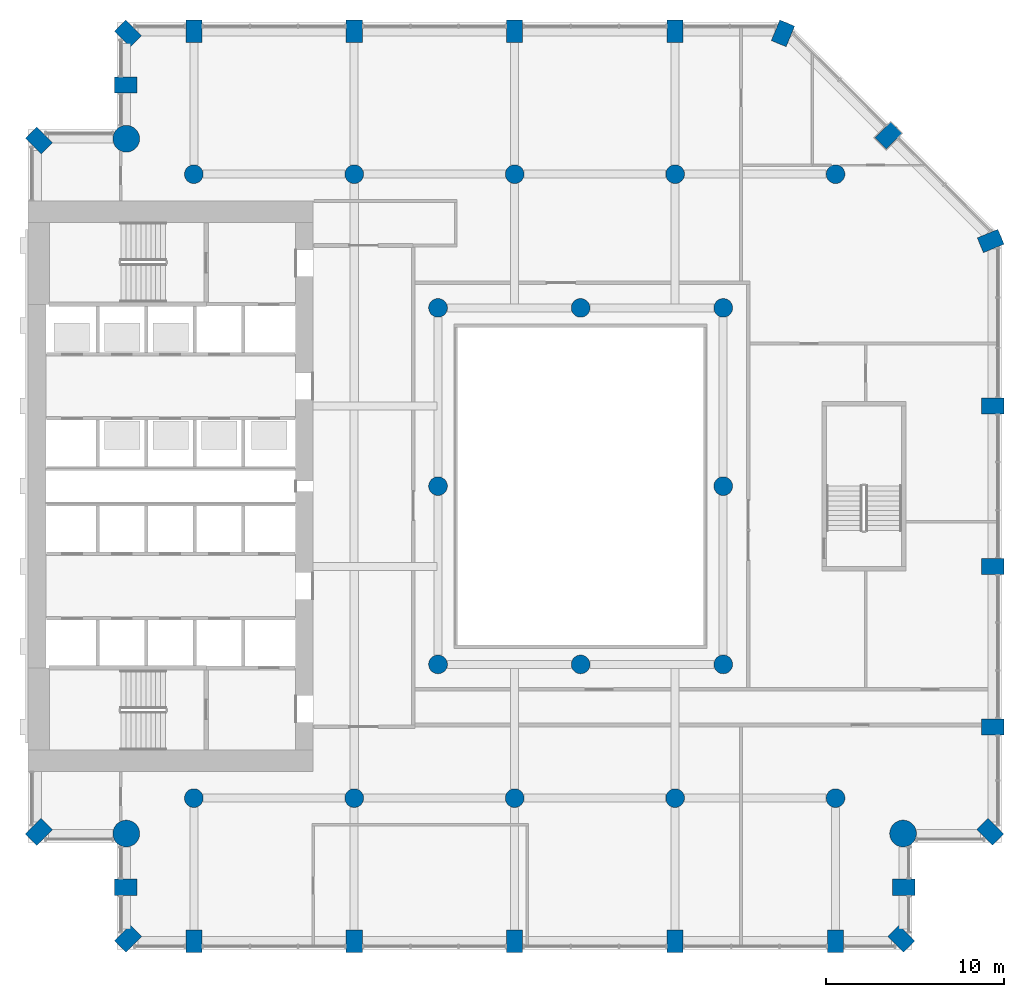
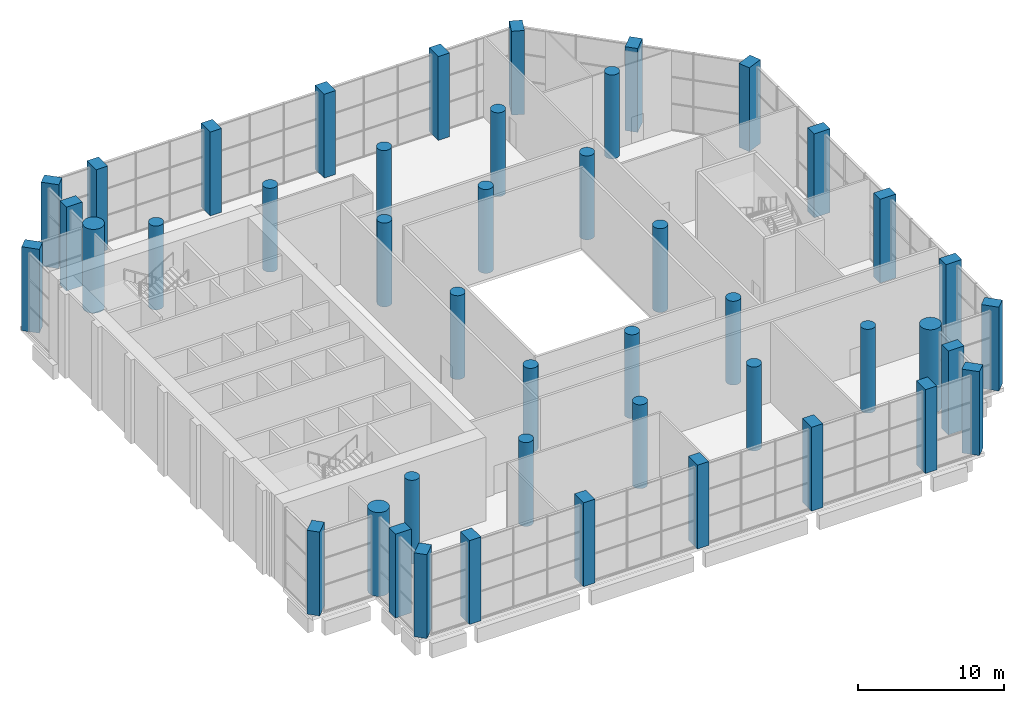
# One storey, part 1 of 22: 45 columns.
"""IFC4 building model written with IfcOpenShell, lengths in metres."""

from ifc_helpers import new_model, si_unit, direction, frame, origin, origin_2d, place, context, subcontext, project, spatial, rectangle, circle, extrude, material, material_profile, profile_set, type_object, element, save


model = new_model("IFC4")

# Units and contexts
model_context = context("Model", 3, precision=1e-05, world=origin(), true_north=direction((0.0, 1.0)))
body_context = subcontext(model_context, "Body", "Model", "MODEL_VIEW")
ifc_project = project(units=[si_unit("LENGTHUNIT", "METRE"), si_unit("AREAUNIT", "SQUARE_METRE"), si_unit("VOLUMEUNIT", "CUBIC_METRE"), si_unit("PLANEANGLEUNIT", "RADIAN"), si_unit("MASSUNIT", "GRAM", prefix="KILO")], contexts=[model_context])

# Site, building, storey
site_placement = place(None, origin())
site = spatial("IfcSite", under=ifc_project, at=site_placement, CompositionType="ELEMENT")
building_placement = place(site_placement, origin())
building = spatial("IfcBuilding", under=site, at=building_placement, Name="Cypress Arch Tower", CompositionType="ELEMENT")
storey_placement = place(building_placement, frame((0.0, 0.0, 145.5)))
storey = spatial("IfcBuildingStorey", under=building, at=storey_placement, Name="L32", CompositionType="ELEMENT", Elevation=145.5)

# Columns
ifc_material_1 = material(Name="Concrete C80/95", Category="concrete")
ifc_material_profile_1 = material_profile(ifc_material_1, rectangle(XDim=0.89990234375, YDim=1.25, at=origin_2d()), Name="RC 900x1250")
ifc_profile_set_1 = profile_set([ifc_material_profile_1], Name="Concrete C80/95")
column_type_1 = type_object("IfcColumnType", Name="Column RC 900x1250 Concrete C80/95", PredefinedType="COLUMN", material=ifc_profile_set_1)
for number, where, z_axis, x_axis, name in (
    (1, (-29.389892578125, 19.389892578125, 0.0), (0.0, 0.0, 1.0), (-0.707106781187, -0.707106781187, 0.0), "Column L32 CA00"),
    (2, (-29.389892578125, -19.389892578125, 0.0), (0.0, 0.0, 1.0), (0.707106781187, -0.707106781187, 0.0), "Column L32 CA01"),
    (3, (-24.52490234375, -22.5, 0.0), (0.0, 0.0, 1.0), (0.0, -1.0, 0.0), "Column L32 CA03"),
    (4, (-24.389892578125, -25.389892578125, 0.0), (0.0, 0.0, 1.0), (0.707106781187, -0.707106781187, 0.0), "Column L32 CA04"),
    (5, (-20.699951171875, -25.52490234375, 0.0), (0.0, 0.0, 1.0), (1.0, 0.0, 0.0), "Column L32 CA05"),
    (6, (-11.699951171875, -25.52490234375, 0.0), (0.0, 0.0, 1.0), (1.0, 0.0, 0.0), "Column L32 CA06"),
    (7, (-2.699951171875, -25.52490234375, 0.0), (0.0, 0.0, 1.0), (1.0, 0.0, 0.0), "Column L32 CA07"),
    (8, (6.300048828125, -25.52490234375, 0.0), (0.0, 0.0, 1.0), (1.0, 0.0, 0.0), "Column L32 CA08"),
    (9, (15.300048828125, -25.52490234375, 0.0), (0.0, 0.0, 1.0), (1.0, 0.0, 0.0), "Column L32 CA09"),
    (10, (18.98974609375, -25.389892578125, 0.0), (0.0, 0.0, 1.0), (0.707106781187, 0.707106781187, 0.0), "Column L32 CA10"),
    (11, (19.125, -22.5, 0.0), (0.0, 0.0, 1.0), (0.0, 1.0, 0.0), "Column L32 CA11"),
    (12, (23.98974609375, -19.389892578125, 0.0), (0.0, 0.0, 1.0), (0.707106781187, 0.707106781187, 0.0), "Column L32 CA13"),
    (13, (24.125, -13.5, 0.0), (0.0, 0.0, 1.0), (0.0, 1.0, 0.0), "Column L32 CA14"),
    (14, (24.125, -4.5, 0.0), (0.0, 0.0, 1.0), (0.0, 1.0, 0.0), "Column L32 CA15"),
    (15, (24.125, 4.5, 0.0), (0.0, 0.0, 1.0), (0.0, 1.0, 0.0), "Column L32 CA16"),
    (16, (24.00048828125, 13.751708984375, 0.0), (0.0, 0.0, 1.0), (-0.382683496864, 0.923879505795, 0.0), "Column L32 CA17"),
    (17, (18.26416015625, 19.6640625, 0.0), (0.0, 0.0, 1.0), (-0.707106781187, 0.707106781187, 0.0), "Column L32 CA18"),
    (18, (12.3515625, 25.400390625, 0.0), (0.0, 0.0, 1.0), (-0.923879505795, 0.382683496864, 0.0), "Column L32 CA19"),
    (19, (6.300048828125, 25.52490234375, 0.0), (0.0, 0.0, 1.0), (-1.0, 0.0, 0.0), "Column L32 CA20"),
    (20, (-2.699951171875, 25.52490234375, 0.0), (0.0, 0.0, 1.0), (-1.0, 0.0, 0.0), "Column L32 CA21"),
    (21, (-11.699951171875, 25.52490234375, 0.0), (0.0, 0.0, 1.0), (-1.0, 0.0, 0.0), "Column L32 CA22"),
    (22, (-20.699951171875, 25.52490234375, 0.0), (0.0, 0.0, 1.0), (-1.0, 0.0, 0.0), "Column L32 CA23"),
    (23, (-24.389892578125, 25.389892578125, 0.0), (0.0, 0.0, 1.0), (-0.707106781187, -0.707106781187, 0.0), "Column L32 CA24"),
    (24, (-24.52490234375, 22.5, 0.0), (0.0, 0.0, 1.0), (0.0, -1.0, 0.0), "Column L32 CA25"),
):
    element("IfcColumn", number, at=place(storey_placement, frame(where, z_axis=z_axis, x_axis=x_axis)), inside=storey, type_object=column_type_1, Name=name, PredefinedType="COLUMN", context=body_context, shape_type="SweptSolid", body=[
        extrude(rectangle(XDim=0.89990234375, YDim=1.25, at=origin_2d()), origin(), (0.0, 0.0, 1.0), 7.0),
    ])
ifc_material_2 = material(Name="Concrete C70/85", Category="concrete")
ifc_material_profile_2 = material_profile(ifc_material_2, circle(Radius=0.52490234375, at=origin_2d()), Name="RC D1050")
ifc_profile_set_2 = profile_set([ifc_material_profile_2], Name="Concrete C70/85")
column_type_2 = type_object("IfcColumnType", Name="Column RC D1050 Concrete C70/85", PredefinedType="COLUMN", material=ifc_profile_set_2)
for number, where, z_axis, x_axis, name in (
    (25, (-20.699951171875, -17.5, 0.0), (0.0, 0.0, 1.0), (1.0, 0.0, 0.0), "Column L32 CIC-L32-CI3S"),
    (26, (-11.699951171875, -17.5, 0.0), (0.0, 0.0, 1.0), (1.0, 0.0, 0.0), "Column L32 CIC-L32-CI4S"),
    (27, (-2.699951171875, -17.5, 0.0), (0.0, 0.0, 1.0), (1.0, 0.0, 0.0), "Column L32 CIC-L32-CI5S"),
    (28, (6.300048828125, -17.5, 0.0), (0.0, 0.0, 1.0), (1.0, 0.0, 0.0), "Column L32 CIC-L32-CI6S"),
    (29, (15.300048828125, -17.5, 0.0), (0.0, 0.0, 1.0), (1.0, 0.0, 0.0), "Column L32 CIC-L32-CI7S"),
    (30, (-20.699951171875, 17.5, 0.0), (0.0, 0.0, 1.0), (1.0, 0.0, 0.0), "Column L32 CIC-L32-CI3N"),
    (31, (-11.699951171875, 17.5, 0.0), (0.0, 0.0, 1.0), (1.0, 0.0, 0.0), "Column L32 CIC-L32-CI4N"),
    (32, (-2.699951171875, 17.5, 0.0), (0.0, 0.0, 1.0), (1.0, 0.0, 0.0), "Column L32 CIC-L32-CI5N"),
    (33, (6.300048828125, 17.5, 0.0), (0.0, 0.0, 1.0), (1.0, 0.0, 0.0), "Column L32 CIC-L32-CI6N"),
    (34, (15.300048828125, 17.5, 0.0), (0.0, 0.0, 1.0), (1.0, 0.0, 0.0), "Column L32 CIC-L32-CI7N"),
    (35, (-7.0, -10.0, 0.0), (0.0, 0.0, 1.0), (1.0, 0.0, 0.0), "Column L32 RNG-L32-G-7-10"),
    (36, (-7.0, 0.0, 0.0), (0.0, 0.0, 1.0), (1.0, 0.0, 0.0), "Column L32 RNG-L32-G-7+0"),
    (37, (-7.0, 10.0, 0.0), (0.0, 0.0, 1.0), (1.0, 0.0, 0.0), "Column L32 RNG-L32-G-7+10"),
    (38, (1.0, -10.0, 0.0), (0.0, 0.0, 1.0), (1.0, 0.0, 0.0), "Column L32 RNG-L32-G+1-10"),
    (39, (1.0, 10.0, 0.0), (0.0, 0.0, 1.0), (1.0, 0.0, 0.0), "Column L32 RNG-L32-G+1+10"),
    (40, (9.0, -10.0, 0.0), (0.0, 0.0, 1.0), (1.0, 0.0, 0.0), "Column L32 RNG-L32-G+9-10"),
    (41, (9.0, 0.0, 0.0), (0.0, 0.0, 1.0), (1.0, 0.0, 0.0), "Column L32 RNG-L32-G+9+0"),
    (42, (9.0, 10.0, 0.0), (0.0, 0.0, 1.0), (1.0, 0.0, 0.0), "Column L32 RNG-L32-G+9+10"),
):
    element("IfcColumn", number, at=place(storey_placement, frame(where, z_axis=z_axis, x_axis=x_axis)), inside=storey, type_object=column_type_2, Name=name, PredefinedType="COLUMN", context=body_context, shape_type="SweptSolid", body=[
        extrude(circle(Radius=0.52490234375, at=origin_2d()), origin(), (0.0, 0.0, 1.0), 7.0),
    ])
ifc_material_3 = material(Name="Concrete C80/95", Category="concrete")
ifc_material_profile_3 = material_profile(ifc_material_3, circle(Radius=0.75, at=origin_2d()), Name="RC D1500")
ifc_profile_set_3 = profile_set([ifc_material_profile_3], Name="Concrete C80/95")
column_type_3 = type_object("IfcColumnType", Name="Mega-column RC D1500 Concrete C80/95", PredefinedType="COLUMN", material=ifc_profile_set_3)
for number, where, z_axis, x_axis, name in (
    (43, (-24.48779296875, -19.48779296875, 0.0), (0.0, 0.0, 1.0), (1.0, 0.0, 0.0), "Column L32 CA02"),
    (44, (19.087890625, -19.48779296875, 0.0), (0.0, 0.0, 1.0), (1.0, 0.0, 0.0), "Column L32 CA12"),
    (45, (-24.48779296875, 19.48779296875, 0.0), (0.0, 0.0, 1.0), (1.0, 0.0, 0.0), "Column L32 CA26"),
):
    element("IfcColumn", number, at=place(storey_placement, frame(where, z_axis=z_axis, x_axis=x_axis)), inside=storey, type_object=column_type_3, Name=name, PredefinedType="COLUMN", context=body_context, shape_type="SweptSolid", body=[
        extrude(circle(Radius=0.75, at=origin_2d()), origin(), (0.0, 0.0, 1.0), 7.0),
    ])

save(model, "model.ifc")
